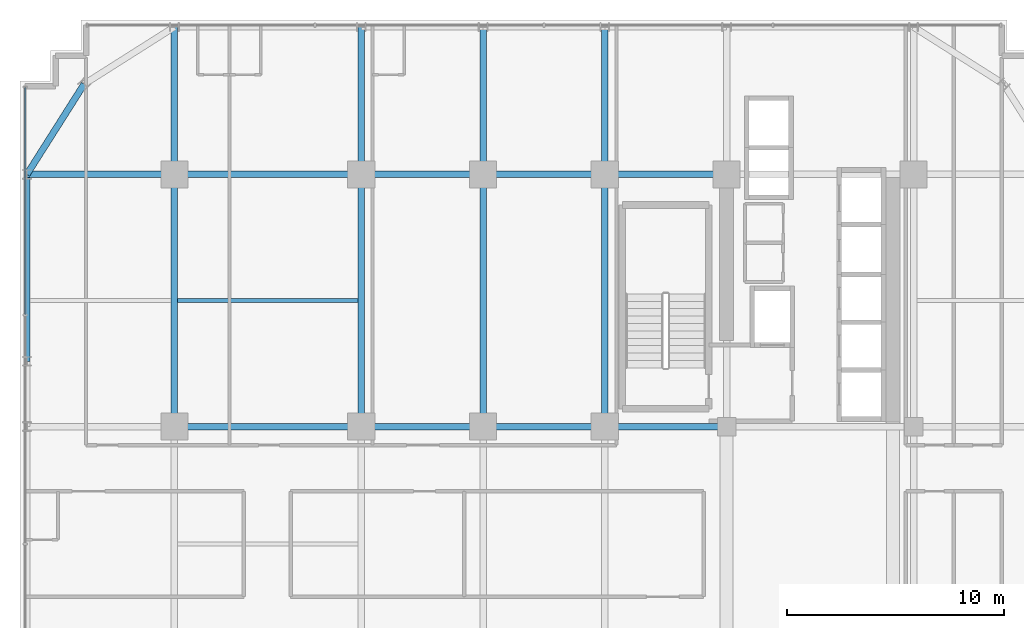
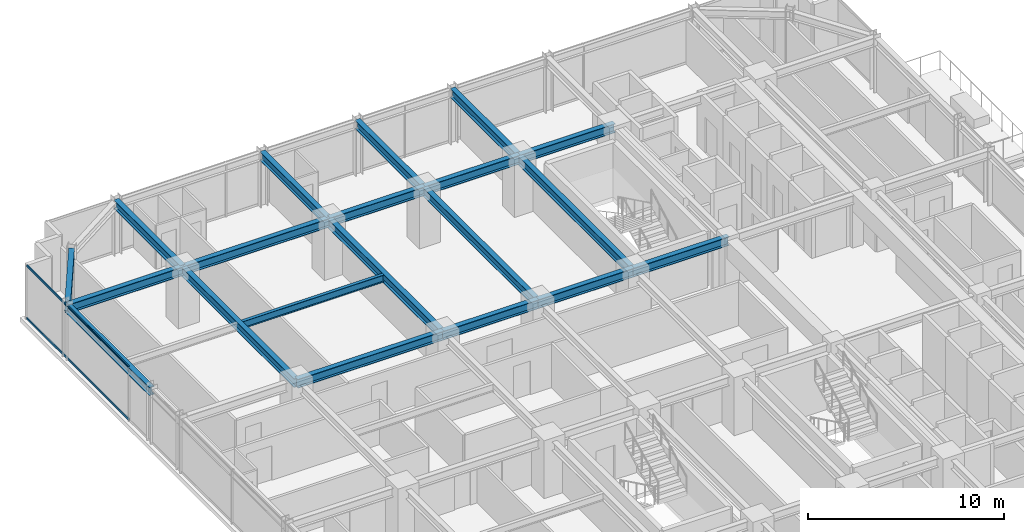
# One storey, part 18 of 33: 20 beams, 2 members, 1 element without a shape of its own.
"""IFC4 building model written with IfcOpenShell, lengths in metres."""

from ifc_helpers import new_model, si_unit, direction, frame, origin, origin_2d, place, context, subcontext, project, spatial, hollow_rectangle, i_section, extrude, source, transform, mapped, material, material_profile, profile_set, type_object, element, aggregate, save


model = new_model("IFC4")

# Units and contexts
model_context = context("Model", 3, precision=1e-05, world=origin(), true_north=direction((0.0, 1.0)))
body_context = subcontext(model_context, "Body", "Model", "MODEL_VIEW")
ifc_project = project(units=[si_unit("LENGTHUNIT", "METRE"), si_unit("AREAUNIT", "SQUARE_METRE"), si_unit("VOLUMEUNIT", "CUBIC_METRE"), si_unit("PLANEANGLEUNIT", "RADIAN"), si_unit("MASSUNIT", "GRAM", prefix="KILO")], contexts=[model_context])

# Site, building, storey
site_placement = place(None, origin())
site = spatial("IfcSite", under=ifc_project, at=site_placement, CompositionType="ELEMENT")
building_placement = place(site_placement, origin())
building = spatial("IfcBuilding", under=site, at=building_placement, Name="Nahalor Promenade Grand Hotel", CompositionType="ELEMENT")
storey_placement = place(building_placement, frame((0.0, 0.0, 117.5)))
storey = spatial("IfcBuildingStorey", under=building, at=storey_placement, Name="L29", CompositionType="ELEMENT", Elevation=117.5)

# Beams
ifc_material_1 = material(Name="Steel S355JR", Category="steel")
ifc_material_profile_1 = material_profile(ifc_material_1, i_section(OverallWidth=0.3, OverallDepth=0.5, WebThickness=0.0145, FlangeThickness=0.028, at=origin_2d()), Name="HEB 500")
ifc_profile_set_1 = profile_set([ifc_material_profile_1], Name="Steel S355JR")
beam_type_1 = type_object("IfcBeamType", Name="Beam-Spandrel-HEB500", PredefinedType="SPANDREL", material=ifc_profile_set_1)
shared_shape_1 = source(origin(), body_context, "Body", "SweptSolid", [
    extrude(i_section(OverallWidth=0.3, OverallDepth=0.5, WebThickness=0.0145, FlangeThickness=0.028, at=origin_2d()), origin(), (0.0, 0.0, 1.0), 8.60009765625),
])
beam_1_placement = place(storey_placement, frame((-23.780029296875, 8.39990234375, 3.1298828125), z_axis=(0.0, 1.0, 0.0), x_axis=(-1.0, 0.0, 0.0)))
element("IfcBeam", 1, at=beam_1_placement, inside=storey, type_object=beam_type_1, Name="BM-L29-SP-W-4", PredefinedType="SPANDREL", context=body_context, shape_type="MappedRepresentation", body=[
    mapped(shared_shape_1, transform((0.0, 0.0, 0.0), scale=1.0)),
])
shared_shape_2 = source(origin(), body_context, "Body", "SweptSolid", [
    extrude(i_section(OverallWidth=0.3, OverallDepth=0.5, WebThickness=0.0145, FlangeThickness=0.028, at=origin_2d()), origin(), (0.0, 0.0, 1.0), 4.9130859375),
])
beam_2_placement = place(storey_placement, frame((-21.14990234375, 21.14990234375, 3.1298828125), z_axis=(-0.535321591403, -0.844648325505, 0.0), x_axis=(0.844648325505, -0.535321591403, 0.0)))
element("IfcBeam", 2, at=beam_2_placement, inside=storey, type_object=beam_type_1, Name="BM-L29-SPC-NW-2", PredefinedType="SPANDREL", context=body_context, shape_type="MappedRepresentation", body=[
    mapped(shared_shape_2, transform((0.0, 0.0, 0.0), scale=1.0)),
])
ifc_material_profile_2 = material_profile(ifc_material_1, i_section(OverallWidth=0.3, OverallDepth=0.55, WebThickness=0.015, FlangeThickness=0.029, at=origin_2d()), Name="HEB 550")
ifc_profile_set_2 = profile_set([ifc_material_profile_2], Name="Steel S355JR")
beam_type_2 = type_object("IfcBeamType", Name="Beam-Girder-HEB550", PredefinedType="BEAM", material=ifc_profile_set_2)
shared_shape_3 = source(origin(), body_context, "Body", "SweptSolid", [
    extrude(i_section(OverallWidth=0.3, OverallDepth=0.55, WebThickness=0.015, FlangeThickness=0.029, at=origin_2d()), origin(), (0.0, 0.0, 1.0), 6.780029296875),
])
for number, where, z_axis, x_axis, name in (
    (3, (-23.780029296875, 17.0, 3.10498046875), (1.0, 0.0, 0.0), (0.0, 1.0, 0.0), "BM-L29-GX-3-0"),
    (4, (-17.0, 17.0, 3.10498046875), (0.0, 1.0, 0.0), (-1.0, 0.0, 0.0), "BM-L29-GY-0-4"),
    (5, (-8.39990234375, 17.0, 3.10498046875), (0.0, 1.0, 0.0), (-1.0, 0.0, 0.0), "BM-L29-GY-1-4"),
    (6, (-2.800048828125, 17.0, 3.10498046875), (0.0, 1.0, 0.0), (-1.0, 0.0, 0.0), "BM-L29-GY-2-4"),
    (7, (2.800048828125, 17.0, 3.10498046875), (0.0, 1.0, 0.0), (-1.0, 0.0, 0.0), "BM-L29-GY-3-4"),
):
    element("IfcBeam", number, at=place(storey_placement, frame(where, z_axis=z_axis, x_axis=x_axis)), inside=storey, type_object=beam_type_2, Name=name, PredefinedType="BEAM", context=body_context, shape_type="MappedRepresentation", body=[
        mapped(shared_shape_3, transform((0.0, 0.0, 0.0), scale=1.0)),
    ])
shared_shape_4 = source(origin(), body_context, "Body", "SweptSolid", [
    extrude(i_section(OverallWidth=0.3, OverallDepth=0.55, WebThickness=0.015, FlangeThickness=0.029, at=origin_2d()), origin(), (0.0, 0.0, 1.0), 8.60009765625),
])
for number, where, z_axis, x_axis, name in (
    (8, (-17.0, 5.39990234375, 3.10498046875), (1.0, 0.0, 0.0), (0.0, 1.0, 0.0), "BM-L29-GX-2-1"),
    (9, (-17.0, 17.0, 3.10498046875), (1.0, 0.0, 0.0), (0.0, 1.0, 0.0), "BM-L29-GX-3-1"),
):
    element("IfcBeam", number, at=place(storey_placement, frame(where, z_axis=z_axis, x_axis=x_axis)), inside=storey, type_object=beam_type_2, Name=name, PredefinedType="BEAM", context=body_context, shape_type="MappedRepresentation", body=[
        mapped(shared_shape_4, transform((0.0, 0.0, 0.0), scale=1.0)),
    ])
shared_shape_5 = source(origin(), body_context, "Body", "SweptSolid", [
    extrude(i_section(OverallWidth=0.3, OverallDepth=0.55, WebThickness=0.015, FlangeThickness=0.029, at=origin_2d()), origin(), (0.0, 0.0, 1.0), 5.599853515625),
])
for number, where, z_axis, x_axis, name in (
    (10, (-8.39990234375, 5.39990234375, 3.10498046875), (1.0, 0.0, 0.0), (0.0, 1.0, 0.0), "BM-L29-GX-2-2"),
    (11, (2.800048828125, 5.39990234375, 3.10498046875), (1.0, 0.0, 0.0), (0.0, 1.0, 0.0), "BM-L29-GX-2-4"),
    (12, (-8.39990234375, 17.0, 3.10498046875), (1.0, 0.0, 0.0), (0.0, 1.0, 0.0), "BM-L29-GX-3-2"),
    (13, (2.800048828125, 17.0, 3.10498046875), (1.0, 0.0, 0.0), (0.0, 1.0, 0.0), "BM-L29-GX-3-4"),
):
    element("IfcBeam", number, at=place(storey_placement, frame(where, z_axis=z_axis, x_axis=x_axis)), inside=storey, type_object=beam_type_2, Name=name, PredefinedType="BEAM", context=body_context, shape_type="MappedRepresentation", body=[
        mapped(shared_shape_5, transform((0.0, 0.0, 0.0), scale=1.0)),
    ])
shared_shape_6 = source(origin(), body_context, "Body", "SweptSolid", [
    extrude(i_section(OverallWidth=0.3, OverallDepth=0.55, WebThickness=0.015, FlangeThickness=0.029, at=origin_2d()), origin(), (0.0, 0.0, 1.0), 5.60009765625),
])
for number, where, z_axis, x_axis, name in (
    (14, (-2.800048828125, 5.39990234375, 3.10498046875), (1.0, 0.0, 0.0), (0.0, 1.0, 0.0), "BM-L29-GX-2-3"),
    (15, (-2.800048828125, 17.0, 3.10498046875), (1.0, 0.0, 0.0), (0.0, 1.0, 0.0), "BM-L29-GX-3-3"),
):
    element("IfcBeam", number, at=place(storey_placement, frame(where, z_axis=z_axis, x_axis=x_axis)), inside=storey, type_object=beam_type_2, Name=name, PredefinedType="BEAM", context=body_context, shape_type="MappedRepresentation", body=[
        mapped(shared_shape_6, transform((0.0, 0.0, 0.0), scale=1.0)),
    ])
shared_shape_7 = source(origin(), body_context, "Body", "SweptSolid", [
    extrude(i_section(OverallWidth=0.3, OverallDepth=0.55, WebThickness=0.015, FlangeThickness=0.029, at=origin_2d()), origin(), (0.0, 0.0, 1.0), 11.60009765625),
])
for number, where, z_axis, x_axis, name in (
    (16, (-17.0, 5.39990234375, 3.10498046875), (0.0, 1.0, 0.0), (-1.0, 0.0, 0.0), "BM-L29-GY-0-3"),
    (17, (-8.39990234375, 5.39990234375, 3.10498046875), (0.0, 1.0, 0.0), (-1.0, 0.0, 0.0), "BM-L29-GY-1-3"),
    (18, (-2.800048828125, 5.39990234375, 3.10498046875), (0.0, 1.0, 0.0), (-1.0, 0.0, 0.0), "BM-L29-GY-2-3"),
    (19, (2.800048828125, 5.39990234375, 3.10498046875), (0.0, 1.0, 0.0), (-1.0, 0.0, 0.0), "BM-L29-GY-3-3"),
):
    element("IfcBeam", number, at=place(storey_placement, frame(where, z_axis=z_axis, x_axis=x_axis)), inside=storey, type_object=beam_type_2, Name=name, PredefinedType="BEAM", context=body_context, shape_type="MappedRepresentation", body=[
        mapped(shared_shape_7, transform((0.0, 0.0, 0.0), scale=1.0)),
    ])
ifc_material_profile_3 = material_profile(ifc_material_1, i_section(OverallWidth=0.19, OverallDepth=0.45, WebThickness=0.0094, FlangeThickness=0.0146, at=origin_2d()), Name="IPE 450")
ifc_profile_set_3 = profile_set([ifc_material_profile_3], Name="Steel S355JR")
beam_type_3 = type_object("IfcBeamType", Name="Beam-Joist-IPE450", PredefinedType="JOIST", material=ifc_profile_set_3)
shared_shape_8 = source(origin(), body_context, "Body", "SweptSolid", [
    extrude(i_section(OverallWidth=0.19, OverallDepth=0.45, WebThickness=0.0094, FlangeThickness=0.0146, at=origin_2d()), origin(), (0.0, 0.0, 1.0), 8.300048828125),
])
beam_3_placement = place(storey_placement, frame((-16.85009765625, 11.199951171875, 3.155029296875), z_axis=(1.0, 0.0, 0.0), x_axis=(0.0, 1.0, 0.0)))
element("IfcBeam", 20, at=beam_3_placement, inside=storey, type_object=beam_type_3, Name="BM-L29-JSW-1-1", PredefinedType="JOIST", context=body_context, shape_type="MappedRepresentation", body=[
    mapped(shared_shape_8, transform((0.0, 0.0, 0.0), scale=1.0)),
])

# Curtain wall, members
ifc_material_2 = material(Name="Anodised Bronze Aluminium EN AW-6063 T6", Category="aluminium")
curtain_wall_type = type_object("IfcCurtainWallType", Name="CW2 Typical Hotel Flush Bronze Unitised Curtain Wall", PredefinedType="USERDEFINED", material=ifc_material_2)
curtain_wall_placement = place(storey_placement, origin())
curtain_wall = element("IfcCurtainWall", 21, at=curtain_wall_placement, inside=storey, type_object=curtain_wall_type, Name="L29 Curtain Wall CW-L29-W-1", ObjectType="UNITISED_CURTAIN_WALL", PredefinedType="USERDEFINED")
ifc_material_profile_4 = material_profile(ifc_material_2, hollow_rectangle(XDim=0.065, YDim=0.13, WallThickness=0.004, at=origin_2d()), Name="CWT 65x130x4")
ifc_profile_set_4 = profile_set([ifc_material_profile_4], Name="Anodised Bronze Aluminium EN AW-6063 T6")
member_type = type_object("IfcMemberType", Name="CWT2 Typical Bronze Transom 65x130", PredefinedType="USERDEFINED", material=ifc_profile_set_4)
shared_shape_9 = source(origin(), body_context, "Body", "SweptSolid", [
    extrude(hollow_rectangle(XDim=0.065, YDim=0.13, WallThickness=0.004, at=origin_2d()), origin(), (0.0, 0.0, 1.0), 10.4326171875),
])
member_1_placement = place(storey_placement, frame((-23.860107421875, 10.5625, 0.06494140625), z_axis=(0.0, 1.0, 0.0), x_axis=(-1.0, 0.0, 0.0)))
member_1 = element("IfcMember", 22, at=member_1_placement, type_object=member_type, Name="CW-L29-W-1 Transom 3-0", ObjectType="TRANSOM", PredefinedType="USERDEFINED", context=body_context, shape_type="MappedRepresentation", body=[
    mapped(shared_shape_9, transform((0.0, 0.0, 0.0), scale=1.0)),
])
member_2_placement = place(storey_placement, frame((-23.860107421875, 10.5625, 3.31494140625), z_axis=(0.0, 1.0, 0.0), x_axis=(-1.0, 0.0, 0.0)))
member_2 = element("IfcMember", 23, at=member_2_placement, type_object=member_type, Name="CW-L29-W-1 Transom 3-1", ObjectType="TRANSOM", PredefinedType="USERDEFINED", context=body_context, shape_type="MappedRepresentation", body=[
    mapped(shared_shape_9, transform((0.0, 0.0, 0.0), scale=1.0)),
])
aggregate(curtain_wall, [member_1, member_2])

save(model, "model.ifc")
